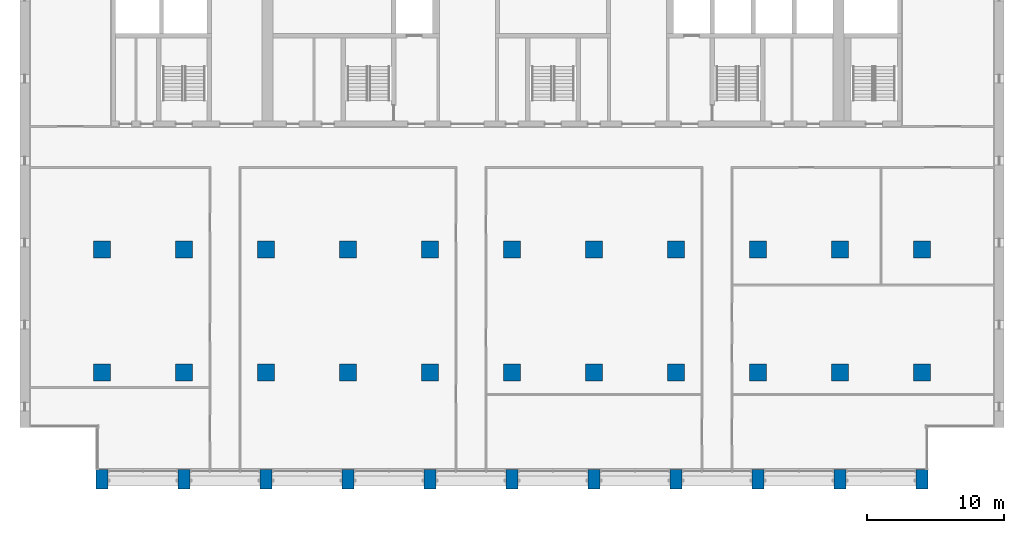
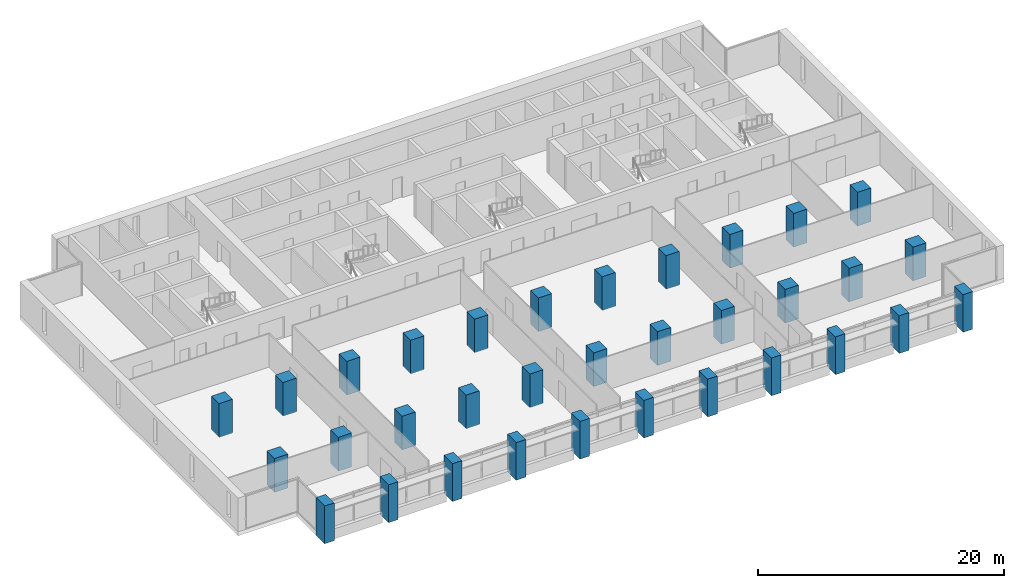
# One storey, part 1 of 16: 33 columns.
"""IFC4 building model written with IfcOpenShell, lengths in metres."""

from ifc_helpers import new_model, si_unit, direction, frame, origin, origin_2d, place, context, subcontext, project, spatial, rectangle, extrude, material, material_profile, profile_set, type_object, element, save


model = new_model("IFC4")

# Units and contexts
model_context = context("Model", 3, precision=1e-05, world=origin(), true_north=direction((0.0, 1.0)))
body_context = subcontext(model_context, "Body", "Model", "MODEL_VIEW")
ifc_project = project(units=[si_unit("LENGTHUNIT", "METRE"), si_unit("AREAUNIT", "SQUARE_METRE"), si_unit("VOLUMEUNIT", "CUBIC_METRE"), si_unit("PLANEANGLEUNIT", "RADIAN"), si_unit("MASSUNIT", "GRAM", prefix="KILO")], contexts=[model_context])

# Site, building, storey
site_placement = place(None, origin())
site = spatial("IfcSite", under=ifc_project, at=site_placement, CompositionType="ELEMENT")
building_placement = place(site_placement, origin())
building = spatial("IfcBuilding", under=site, at=building_placement, Name="Calvaro Tower", CompositionType="ELEMENT")
storey_placement = place(building_placement, frame((0.0, 0.0, 140.0)))
storey = spatial("IfcBuildingStorey", under=building, at=storey_placement, Name="L35", CompositionType="ELEMENT", Elevation=140.0)

# Columns
ifc_material_1 = material(Name="Concrete C60/75", Category="concrete")
ifc_material_profile_1 = material_profile(ifc_material_1, rectangle(XDim=1.25, YDim=1.25, at=origin_2d()), Name="RC 1250x1250")
ifc_profile_set_1 = profile_set([ifc_material_profile_1], Name="Concrete C60/75")
column_type_1 = type_object("IfcColumnType", Name="Column 1250x1250 C60/75", PredefinedType="COLUMN", material=ifc_profile_set_1)
for number, where, z_axis, x_axis, name in (
    (1, (6.0, 10.0, 0.0), (0.0, 0.0, 1.0), (1.0, 0.0, 0.0), "Column 2B"),
    (2, (6.0, 19.0, 0.0), (0.0, 0.0, 1.0), (1.0, 0.0, 0.0), "Column 2C"),
    (3, (12.0, 10.0, 0.0), (0.0, 0.0, 1.0), (1.0, 0.0, 0.0), "Column 3B"),
    (4, (12.0, 19.0, 0.0), (0.0, 0.0, 1.0), (1.0, 0.0, 0.0), "Column 3C"),
    (5, (18.0, 10.0, 0.0), (0.0, 0.0, 1.0), (1.0, 0.0, 0.0), "Column 4B"),
    (6, (18.0, 19.0, 0.0), (0.0, 0.0, 1.0), (1.0, 0.0, 0.0), "Column 4C"),
    (7, (24.0, 10.0, 0.0), (0.0, 0.0, 1.0), (1.0, 0.0, 0.0), "Column 5B"),
    (8, (24.0, 19.0, 0.0), (0.0, 0.0, 1.0), (1.0, 0.0, 0.0), "Column 5C"),
    (9, (30.0, 10.0, 0.0), (0.0, 0.0, 1.0), (1.0, 0.0, 0.0), "Column 6B"),
    (10, (30.0, 19.0, 0.0), (0.0, 0.0, 1.0), (1.0, 0.0, 0.0), "Column 6C"),
    (11, (36.0, 10.0, 0.0), (0.0, 0.0, 1.0), (1.0, 0.0, 0.0), "Column 7B"),
    (12, (36.0, 19.0, 0.0), (0.0, 0.0, 1.0), (1.0, 0.0, 0.0), "Column 7C"),
    (13, (42.0, 10.0, 0.0), (0.0, 0.0, 1.0), (1.0, 0.0, 0.0), "Column 8B"),
    (14, (42.0, 19.0, 0.0), (0.0, 0.0, 1.0), (1.0, 0.0, 0.0), "Column 8C"),
    (15, (48.0, 10.0, 0.0), (0.0, 0.0, 1.0), (1.0, 0.0, 0.0), "Column 9B"),
    (16, (48.0, 19.0, 0.0), (0.0, 0.0, 1.0), (1.0, 0.0, 0.0), "Column 9C"),
    (17, (54.0, 10.0, 0.0), (0.0, 0.0, 1.0), (1.0, 0.0, 0.0), "Column 10B"),
    (18, (54.0, 19.0, 0.0), (0.0, 0.0, 1.0), (1.0, 0.0, 0.0), "Column 10C"),
    (19, (60.0, 10.0, 0.0), (0.0, 0.0, 1.0), (1.0, 0.0, 0.0), "Column 11B"),
    (20, (60.0, 19.0, 0.0), (0.0, 0.0, 1.0), (1.0, 0.0, 0.0), "Column 11C"),
    (21, (66.0, 10.0, 0.0), (0.0, 0.0, 1.0), (1.0, 0.0, 0.0), "Column 12B"),
    (22, (66.0, 19.0, 0.0), (0.0, 0.0, 1.0), (1.0, 0.0, 0.0), "Column 12C"),
):
    element("IfcColumn", number, at=place(storey_placement, frame(where, z_axis=z_axis, x_axis=x_axis)), inside=storey, type_object=column_type_1, Name=name, PredefinedType="COLUMN", context=body_context, shape_type="SweptSolid", body=[
        extrude(rectangle(XDim=1.25, YDim=1.25, at=origin_2d()), origin(), (0.0, 0.0, 1.0), 3.35009765625),
    ])
ifc_material_2 = material(Name="Concrete C60/75", Category="concrete")
ifc_material_profile_2 = material_profile(ifc_material_2, rectangle(XDim=0.89990234375, YDim=1.39990234375, at=origin_2d()), Name="RC 900x1400")
ifc_profile_set_2 = profile_set([ifc_material_profile_2], Name="Concrete C60/75")
column_type_2 = type_object("IfcColumnType", Name="Pier 900x1400 C60/75", PredefinedType="COLUMN", material=ifc_profile_set_2)
for number, where, z_axis, x_axis, name in (
    (23, (6.0, 2.199951171875, -0.39990234375), (0.0, 0.0, 1.0), (1.0, 0.0, 0.0), "South pier 2"),
    (24, (12.0, 2.199951171875, -0.39990234375), (0.0, 0.0, 1.0), (1.0, 0.0, 0.0), "South pier 3"),
    (25, (18.0, 2.199951171875, -0.39990234375), (0.0, 0.0, 1.0), (1.0, 0.0, 0.0), "South pier 4"),
    (26, (24.0, 2.199951171875, -0.39990234375), (0.0, 0.0, 1.0), (1.0, 0.0, 0.0), "South pier 5"),
    (27, (30.0, 2.199951171875, -0.39990234375), (0.0, 0.0, 1.0), (1.0, 0.0, 0.0), "South pier 6"),
    (28, (36.0, 2.199951171875, -0.39990234375), (0.0, 0.0, 1.0), (1.0, 0.0, 0.0), "South pier 7"),
    (29, (42.0, 2.199951171875, -0.39990234375), (0.0, 0.0, 1.0), (1.0, 0.0, 0.0), "South pier 8"),
    (30, (48.0, 2.199951171875, -0.39990234375), (0.0, 0.0, 1.0), (1.0, 0.0, 0.0), "South pier 9"),
    (31, (54.0, 2.199951171875, -0.39990234375), (0.0, 0.0, 1.0), (1.0, 0.0, 0.0), "South pier 10"),
    (32, (60.0, 2.199951171875, -0.39990234375), (0.0, 0.0, 1.0), (1.0, 0.0, 0.0), "South pier 11"),
    (33, (66.0, 2.199951171875, -0.39990234375), (0.0, 0.0, 1.0), (1.0, 0.0, 0.0), "South pier 12"),
):
    element("IfcColumn", number, at=place(storey_placement, frame(where, z_axis=z_axis, x_axis=x_axis)), inside=storey, type_object=column_type_2, Name=name, PredefinedType="COLUMN", context=body_context, shape_type="SweptSolid", body=[
        extrude(rectangle(XDim=0.89990234375, YDim=1.39990234375, at=origin_2d()), origin(), (0.0, 0.0, 1.0), 3.75),
    ])

save(model, "model.ifc")
